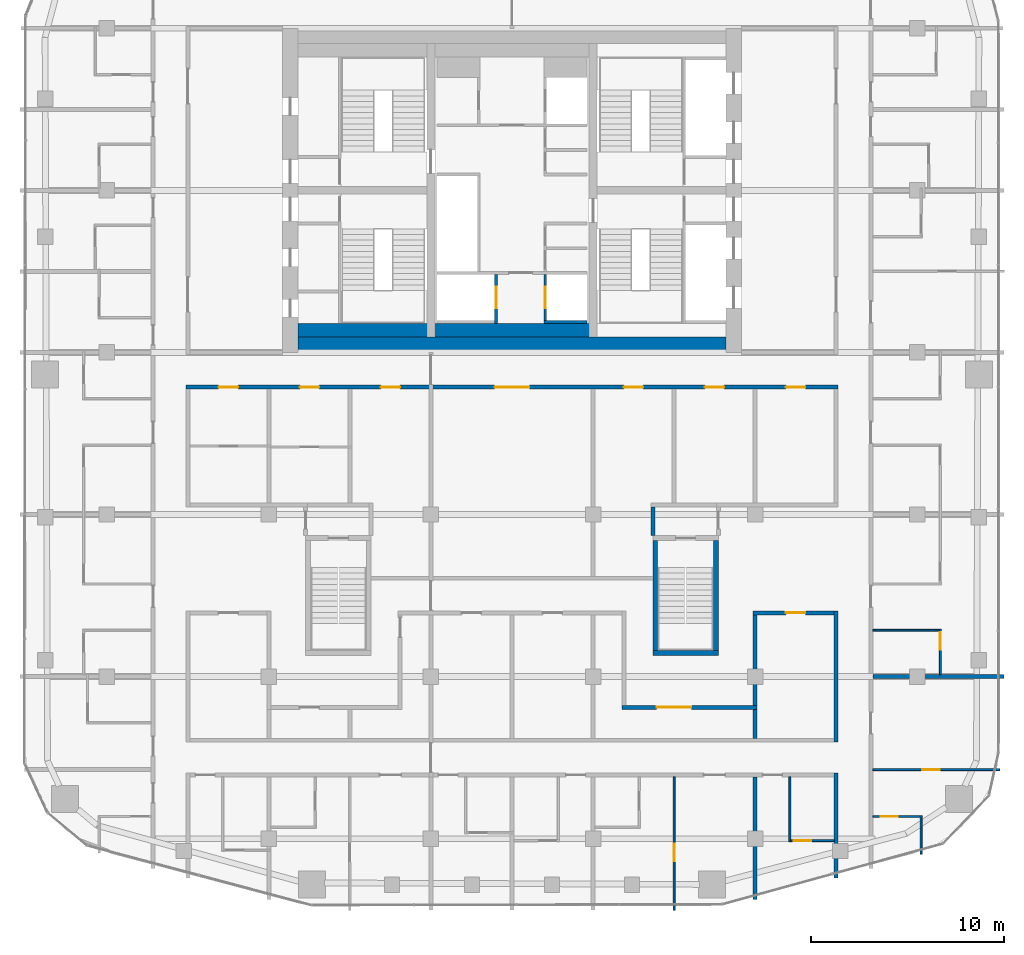
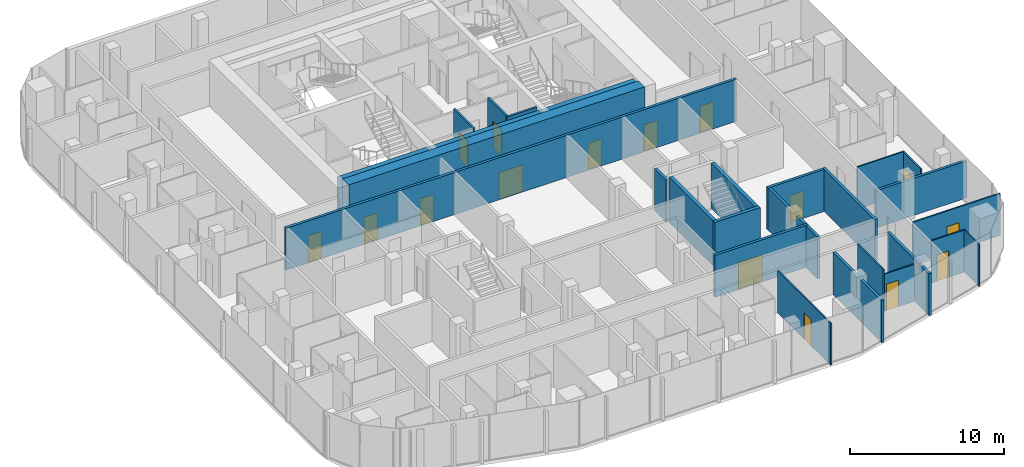
# One storey, part 16 of 22: 26 walls, 16 doors, 16 openings.
"""IFC4 building model written with IfcOpenShell, lengths in metres."""

from ifc_helpers import new_model, si_unit, direction, frame, frame_2d, origin, place, context, subcontext, project, spatial, rectangle, extrude, material, layer, layer_set, type_object, element, fill, save


model = new_model("IFC4")

# Units and contexts
model_context = context("Model", 3, precision=1e-05, world=origin(), true_north=direction((0.0, 1.0)))
body_context = subcontext(model_context, "Body", "Model", "MODEL_VIEW")
ifc_project = project(units=[si_unit("LENGTHUNIT", "METRE"), si_unit("AREAUNIT", "SQUARE_METRE"), si_unit("VOLUMEUNIT", "CUBIC_METRE"), si_unit("PLANEANGLEUNIT", "RADIAN"), si_unit("MASSUNIT", "GRAM", prefix="KILO")], contexts=[model_context])

# Site, building, storey
site_placement = place(None, origin())
site = spatial("IfcSite", under=ifc_project, at=site_placement, CompositionType="ELEMENT")
building_placement = place(site_placement, origin())
building = spatial("IfcBuilding", under=site, at=building_placement, Name="Marenta Gate Hotel Tower", CompositionType="ELEMENT")
storey_placement = place(building_placement, frame((0.0, 0.0, 238.10009765625)))
storey = spatial("IfcBuildingStorey", under=building, at=storey_placement, Name="L56", CompositionType="ELEMENT", Elevation=238.10009765625)

# Wall
ifc_material_1 = material(Name="Concrete C40", Category="concrete")
ifc_layer_1 = layer(ifc_material_1, 0.699951171875)
ifc_layer_set_1 = layer_set([ifc_layer_1], Name="Concrete C40")
wall_type_1 = type_object("IfcWallType", Name="Core lining wall 700 REI 180", PredefinedType="PARTITIONING", material=ifc_layer_set_1)
wall_1_placement = place(storey_placement, frame((-11.10009765625, 1.14990234375, 0.0), z_axis=(0.0, 0.0, 1.0), x_axis=(1.0, 0.0, 0.0)))
element("IfcWall", 1, at=wall_1_placement, inside=storey, type_object=wall_type_1, Name="L56-CP-LN-S", PredefinedType="PARTITIONING", context=body_context, shape_type="SweptSolid", body=[
    extrude(rectangle(XDim=22.2001953125, YDim=0.699951171875, at=frame_2d((11.10009765625, 0.0))), origin(), (0.0, 0.0, 1.0), 3.33984375),
])

# Wall, opening, door
ifc_material_2 = material(Name="Concrete C40", Category="concrete")
ifc_layer_2 = layer(ifc_material_2, 0.14990234375)
ifc_layer_set_2 = layer_set([ifc_layer_2], Name="Concrete C40")
wall_type_2 = type_object("IfcWallType", Name="Core shaft wall 150 REI 180", PredefinedType="SHEAR", material=ifc_layer_set_2)
wall_2_placement = place(storey_placement, frame((-0.824951171875, 1.5, 0.0), z_axis=(0.0, 0.0, 1.0), x_axis=(0.0, 1.0, 0.0)))
wall_2 = element("IfcWall", 2, at=wall_2_placement, inside=storey, type_object=wall_type_2, Name="L56-SHF-CW-W-ff", PredefinedType="SHEAR", context=body_context, shape_type="SweptSolid", body=[
    extrude(rectangle(XDim=2.550048828125, YDim=0.14990234375, at=frame_2d((1.27490234375, 0.0))), origin(), (0.0, 0.0, 1.0), 3.599853515625),
])
opening_1_placement = place(wall_2_placement, frame((0.800048828125, 0.0, 0.0)))
opening_1 = element("IfcOpeningElement", 3, at=opening_1_placement, cuts=wall_2, Name="Opening LD-FF1", PredefinedType="OPENING", context=body_context, shape_type="SweptSolid", body=[
    extrude(rectangle(XDim=1.10009765625, YDim=2.10009765625, at=frame_2d((0.550048828125, 1.050048828125))), frame((0.0, 0.074951171875, 0.0), z_axis=(0.0, -1.0, 0.0), x_axis=(1.0, 0.0, 0.0)), (0.0, 0.0, 1.0), 0.14990234375),
])
ifc_material_3 = material(Name="Steel", Category="steel")
door_type_1 = type_object("IfcDoorType", Name="Core lift landing door 1100x2100 E 60", OperationType="SLIDING_TO_LEFT", PredefinedType="DOOR", material=ifc_material_3)
door_1_placement = place(opening_1_placement, origin())
door_1 = element("IfcDoor", 4, at=door_1_placement, inside=storey, type_object=door_type_1, Name="LD-FF1", OperationType="SLIDING_TO_LEFT", OverallHeight=2.10009765625, OverallWidth=1.10009765625, PredefinedType="DOOR", context=body_context, shape_type="SweptSolid", body=[
    extrude(rectangle(XDim=1.10009765625, YDim=2.10009765625, at=frame_2d((0.550048828125, 1.050048828125))), frame((0.0, 0.02490234375, 0.0), z_axis=(0.0, -1.0, 0.0), x_axis=(1.0, 0.0, 0.0)), (0.0, 0.0, 1.0), 0.050048828125),
])
fill(opening_1, door_1)

wall_3_placement = place(storey_placement, frame((1.72509765625, 1.64990234375, 0.0), z_axis=(0.0, 0.0, 1.0), x_axis=(0.0, 1.0, 0.0)))
wall_3 = element("IfcWall", 5, at=wall_3_placement, inside=storey, type_object=wall_type_2, Name="L56-SHF-CE-S-ls", PredefinedType="SHEAR", context=body_context, shape_type="SweptSolid", body=[
    extrude(rectangle(XDim=2.400146484375, YDim=0.14990234375, at=frame_2d((1.2001953125, 0.0))), origin(), (0.0, 0.0, 1.0), 3.599853515625),
])
opening_2_placement = place(wall_3_placement, frame((0.64990234375, 0.0, 0.0)))
opening_2 = element("IfcOpeningElement", 6, at=opening_2_placement, cuts=wall_3, Name="Opening LD-SV1", PredefinedType="OPENING", context=body_context, shape_type="SweptSolid", body=[
    extrude(rectangle(XDim=1.10009765625, YDim=2.10009765625, at=frame_2d((0.550048828125, 1.050048828125))), frame((0.0, 0.074951171875, 0.0), z_axis=(0.0, -1.0, 0.0), x_axis=(1.0, 0.0, 0.0)), (0.0, 0.0, 1.0), 0.14990234375),
])
door_2_placement = place(opening_2_placement, origin())
door_2 = element("IfcDoor", 7, at=door_2_placement, inside=storey, type_object=door_type_1, Name="LD-SV1", OperationType="SLIDING_TO_LEFT", OverallHeight=2.10009765625, OverallWidth=1.10009765625, PredefinedType="DOOR", context=body_context, shape_type="SweptSolid", body=[
    extrude(rectangle(XDim=1.10009765625, YDim=2.10009765625, at=frame_2d((0.550048828125, 1.050048828125))), frame((0.0, 0.02490234375, 0.0), z_axis=(0.0, -1.0, 0.0), x_axis=(1.0, 0.0, 0.0)), (0.0, 0.0, 1.0), 0.050048828125),
])
fill(opening_2, door_2)

# Walls
wall_4_placement = place(storey_placement, frame((1.64990234375, 1.574951171875, 0.0), z_axis=(0.0, 0.0, 1.0), x_axis=(1.0, 0.0, 0.0)))
element("IfcWall", 8, at=wall_4_placement, inside=storey, type_object=wall_type_2, Name="L56-SHF-CE-S-bot", PredefinedType="SHEAR", context=body_context, shape_type="SweptSolid", body=[
    extrude(rectangle(XDim=2.25, YDim=0.14990234375, at=frame_2d((1.125, 0.0))), origin(), (0.0, 0.0, 1.0), 3.599853515625),
])
ifc_material_4 = material(Name="Concrete C60", Category="concrete")
ifc_layer_3 = layer(ifc_material_4, 0.800048828125)
ifc_layer_set_3 = layer_set([ifc_layer_3], Name="Concrete C60")
wall_type_3 = type_object("IfcWallType", Name="Core wall 800 C60", PredefinedType="SHEAR", material=ifc_layer_set_3)
wall_5_placement = place(storey_placement, frame((-11.10009765625, 0.39990234375, 0.0), z_axis=(0.0, 0.0, 1.0), x_axis=(1.0, 0.0, 0.0)))
element("IfcWall", 9, at=wall_5_placement, inside=storey, type_object=wall_type_3, Name="L56-CORE-S", PredefinedType="SHEAR", context=body_context, shape_type="SweptSolid", body=[
    extrude(rectangle(XDim=22.2001953125, YDim=0.800048828125, at=frame_2d((11.10009765625, 0.0))), origin(), (0.0, 0.0, 1.0), 3.599853515625),
])
ifc_material_5 = material(Name="Concrete C40", Category="concrete")
ifc_layer_4 = layer(ifc_material_5, 0.25)
ifc_layer_set_4 = layer_set([ifc_layer_4], Name="Concrete C40")
wall_type_4 = type_object("IfcWallType", Name="Remote stair enclosure wall 250 REI 180", PredefinedType="SHEAR", material=ifc_layer_set_4)
wall_6_placement = place(storey_placement, frame((7.300048828125, -15.574951171875, 0.099853515625), z_axis=(0.0, 0.0, 1.0), x_axis=(1.0, 0.0, 0.0)))
element("IfcWall", 10, at=wall_6_placement, inside=storey, type_object=wall_type_4, Name="L56-RS-Z3-2-W1", PredefinedType="SHEAR", context=body_context, shape_type="SweptSolid", body=[
    extrude(rectangle(XDim=3.39990234375, YDim=0.25, at=frame_2d((1.699951171875, 0.0))), origin(), (0.0, 0.0, 1.0), 3.60009765625),
])
for number, where, z_axis, x_axis, name in (
    (11, (7.425048828125, -15.449951171875, 0.099853515625), (0.0, 0.0, 1.0), (0.0, 1.0, 0.0), "L56-RS-Z3-2-W3"),
    (12, (10.574951171875, -15.449951171875, 0.099853515625), (0.0, 0.0, 1.0), (0.0, 1.0, 0.0), "L56-RS-Z3-2-W4"),
):
    element("IfcWall", number, at=place(storey_placement, frame(where, z_axis=z_axis, x_axis=x_axis)), inside=storey, type_object=wall_type_4, Name=name, PredefinedType="SHEAR", context=body_context, shape_type="SweptSolid", body=[
        extrude(rectangle(XDim=5.699951171875, YDim=0.25, at=frame_2d((2.85009765625, 0.0))), origin(), (0.0, 0.0, 1.0), 3.60009765625),
    ])

# Wall, openings, doors
ifc_material_6 = material(Name="Concrete blockwork", Category="masonry")
ifc_layer_5 = layer(ifc_material_6, 0.199951171875)
ifc_layer_set_5 = layer_set([ifc_layer_5], Name="Concrete blockwork")
wall_type_5 = type_object("IfcWallType", Name="Room corridor wall 200 EI 120", PredefinedType="PARTITIONING", material=ifc_layer_set_5)
wall_7_placement = place(storey_placement, frame((-16.89990234375, -1.800048828125, 0.0), z_axis=(0.0, 0.0, 1.0), x_axis=(1.0, 0.0, 0.0)))
wall_7 = element("IfcWall", 13, at=wall_7_placement, inside=storey, type_object=wall_type_5, Name="L56-PTN-W070", PredefinedType="PARTITIONING", context=body_context, shape_type="SweptSolid", body=[
    extrude(rectangle(XDim=33.7998046875, YDim=0.199951171875, at=frame_2d((16.89990234375, 0.0))), origin(), (0.0, 0.0, 1.0), 3.33984375),
])
opening_3_placement = place(wall_7_placement, frame((1.699951171875, 0.0, 0.0)))
opening_3 = element("IfcOpeningElement", 14, at=opening_3_placement, cuts=wall_7, Name="Opening G20-01", PredefinedType="OPENING", context=body_context, shape_type="SweptSolid", body=[
    extrude(rectangle(XDim=1.0, YDim=2.10009765625, at=frame_2d((0.5, 1.050048828125))), frame((0.0, 0.10009765625, 0.0), z_axis=(0.0, -1.0, 0.0), x_axis=(1.0, 0.0, 0.0)), (0.0, 0.0, 1.0), 0.199951171875),
])
opening_4_placement = place(wall_7_placement, frame((5.89990234375, 0.0, 0.0)))
opening_4 = element("IfcOpeningElement", 15, at=opening_4_placement, cuts=wall_7, Name="Opening G20-03", PredefinedType="OPENING", context=body_context, shape_type="SweptSolid", body=[
    extrude(rectangle(XDim=1.0, YDim=2.10009765625, at=frame_2d((0.5, 1.050048828125))), frame((0.0, 0.10009765625, 0.0), z_axis=(0.0, -1.0, 0.0), x_axis=(1.0, 0.0, 0.0)), (0.0, 0.0, 1.0), 0.199951171875),
])
opening_5_placement = place(wall_7_placement, frame((10.10009765625, 0.0, 0.0)))
opening_5 = element("IfcOpeningElement", 16, at=opening_5_placement, cuts=wall_7, Name="Opening G20-05", PredefinedType="OPENING", context=body_context, shape_type="SweptSolid", body=[
    extrude(rectangle(XDim=1.0, YDim=2.10009765625, at=frame_2d((0.5, 1.050048828125))), frame((0.0, 0.10009765625, 0.0), z_axis=(0.0, -1.0, 0.0), x_axis=(1.0, 0.0, 0.0)), (0.0, 0.0, 1.0), 0.199951171875),
])
opening_6_placement = place(wall_7_placement, frame((16.0, 0.0, 0.0)))
opening_6 = element("IfcOpeningElement", 17, at=opening_6_placement, cuts=wall_7, Name="Opening G20-06", PredefinedType="OPENING", context=body_context, shape_type="SweptSolid", body=[
    extrude(rectangle(XDim=1.800048828125, YDim=2.10009765625, at=frame_2d((0.89990234375, 1.050048828125))), frame((0.0, 0.10009765625, 0.0), z_axis=(0.0, -1.0, 0.0), x_axis=(1.0, 0.0, 0.0)), (0.0, 0.0, 1.0), 0.199951171875),
])
opening_7_placement = place(wall_7_placement, frame((22.699951171875, 0.0, 0.0)))
opening_7 = element("IfcOpeningElement", 18, at=opening_7_placement, cuts=wall_7, Name="Opening G20-07", PredefinedType="OPENING", context=body_context, shape_type="SweptSolid", body=[
    extrude(rectangle(XDim=1.0, YDim=2.10009765625, at=frame_2d((0.5, 1.050048828125))), frame((0.0, 0.10009765625, 0.0), z_axis=(0.0, -1.0, 0.0), x_axis=(1.0, 0.0, 0.0)), (0.0, 0.0, 1.0), 0.199951171875),
])
opening_8_placement = place(wall_7_placement, frame((26.89990234375, 0.0, 0.0)))
opening_8 = element("IfcOpeningElement", 19, at=opening_8_placement, cuts=wall_7, Name="Opening G20-08", PredefinedType="OPENING", context=body_context, shape_type="SweptSolid", body=[
    extrude(rectangle(XDim=1.0, YDim=2.10009765625, at=frame_2d((0.5, 1.050048828125))), frame((0.0, 0.10009765625, 0.0), z_axis=(0.0, -1.0, 0.0), x_axis=(1.0, 0.0, 0.0)), (0.0, 0.0, 1.0), 0.199951171875),
])
opening_9_placement = place(wall_7_placement, frame((31.10009765625, 0.0, 0.0)))
opening_9 = element("IfcOpeningElement", 20, at=opening_9_placement, cuts=wall_7, Name="Opening G20-09", PredefinedType="OPENING", context=body_context, shape_type="SweptSolid", body=[
    extrude(rectangle(XDim=1.0, YDim=2.10009765625, at=frame_2d((0.5, 1.050048828125))), frame((0.0, 0.10009765625, 0.0), z_axis=(0.0, -1.0, 0.0), x_axis=(1.0, 0.0, 0.0)), (0.0, 0.0, 1.0), 0.199951171875),
])
ifc_material_7 = material(Name="Timber door leaf", Category="wood")
door_type_2 = type_object("IfcDoorType", Name="Room amenity door 1000x2100 EI 60", OperationType="NOTDEFINED", PredefinedType="DOOR", material=ifc_material_7)
door_3_placement = place(opening_5_placement, origin())
door_3 = element("IfcDoor", 21, at=door_3_placement, inside=storey, type_object=door_type_2, Name="L56-PD-D005", OperationType="SINGLE_SWING_RIGHT", OverallHeight=2.10009765625, OverallWidth=1.0, PredefinedType="DOOR", context=body_context, shape_type="SweptSolid", body=[
    extrude(rectangle(XDim=1.0, YDim=2.10009765625, at=frame_2d((0.5, 1.050048828125))), frame((0.0, 0.02490234375, 0.0), z_axis=(0.0, -1.0, 0.0), x_axis=(1.0, 0.0, 0.0)), (0.0, 0.0, 1.0), 0.050048828125),
])
fill(opening_5, door_3)
door_4_placement = place(opening_7_placement, origin())
door_4 = element("IfcDoor", 22, at=door_4_placement, inside=storey, type_object=door_type_2, Name="L56-PD-D007", OperationType="SINGLE_SWING_RIGHT", OverallHeight=2.10009765625, OverallWidth=1.0, PredefinedType="DOOR", context=body_context, shape_type="SweptSolid", body=[
    extrude(rectangle(XDim=1.0, YDim=2.10009765625, at=frame_2d((0.5, 1.050048828125))), frame((0.0, 0.02490234375, 0.0), z_axis=(0.0, -1.0, 0.0), x_axis=(1.0, 0.0, 0.0)), (0.0, 0.0, 1.0), 0.050048828125),
])
fill(opening_7, door_4)
door_5_placement = place(opening_8_placement, origin())
door_5 = element("IfcDoor", 23, at=door_5_placement, inside=storey, type_object=door_type_2, Name="L56-PD-D008", OperationType="SINGLE_SWING_LEFT", OverallHeight=2.10009765625, OverallWidth=1.0, PredefinedType="DOOR", context=body_context, shape_type="SweptSolid", body=[
    extrude(rectangle(XDim=1.0, YDim=2.10009765625, at=frame_2d((0.5, 1.050048828125))), frame((0.0, 0.02490234375, 0.0), z_axis=(0.0, -1.0, 0.0), x_axis=(1.0, 0.0, 0.0)), (0.0, 0.0, 1.0), 0.050048828125),
])
fill(opening_8, door_5)
door_6_placement = place(opening_9_placement, origin())
door_6 = element("IfcDoor", 24, at=door_6_placement, inside=storey, type_object=door_type_2, Name="L56-PD-D009", OperationType="SINGLE_SWING_RIGHT", OverallHeight=2.10009765625, OverallWidth=1.0, PredefinedType="DOOR", context=body_context, shape_type="SweptSolid", body=[
    extrude(rectangle(XDim=1.0, YDim=2.10009765625, at=frame_2d((0.5, 1.050048828125))), frame((0.0, 0.02490234375, 0.0), z_axis=(0.0, -1.0, 0.0), x_axis=(1.0, 0.0, 0.0)), (0.0, 0.0, 1.0), 0.050048828125),
])
fill(opening_9, door_6)
ifc_material_8 = material(Name="Timber door leaf", Category="wood")
door_type_3 = type_object("IfcDoorType", Name="Room amenity door 1800x2100 EI 60", OperationType="DOUBLE_DOOR_SINGLE_SWING", PredefinedType="DOOR", material=ifc_material_8)
door_7_placement = place(opening_6_placement, origin())
door_7 = element("IfcDoor", 25, at=door_7_placement, inside=storey, type_object=door_type_3, Name="L56-PD-D006", OperationType="DOUBLE_DOOR_SINGLE_SWING", OverallHeight=2.10009765625, OverallWidth=1.800048828125, PredefinedType="DOOR", context=body_context, shape_type="SweptSolid", body=[
    extrude(rectangle(XDim=1.800048828125, YDim=2.10009765625, at=frame_2d((0.89990234375, 1.050048828125))), frame((0.0, 0.02490234375, 0.0), z_axis=(0.0, -1.0, 0.0), x_axis=(1.0, 0.0, 0.0)), (0.0, 0.0, 1.0), 0.050048828125),
])
fill(opening_6, door_7)
ifc_material_9 = material(Name="Hollow steel door set", Category="steel")
door_type_4 = type_object("IfcDoorType", Name="Room service door 1000x2100 EI 60", OperationType="NOTDEFINED", PredefinedType="DOOR", material=ifc_material_9)
door_8_placement = place(opening_3_placement, origin())
door_8 = element("IfcDoor", 26, at=door_8_placement, inside=storey, type_object=door_type_4, Name="L56-PD-D001", OperationType="SINGLE_SWING_LEFT", OverallHeight=2.10009765625, OverallWidth=1.0, PredefinedType="DOOR", context=body_context, shape_type="SweptSolid", body=[
    extrude(rectangle(XDim=1.0, YDim=2.10009765625, at=frame_2d((0.5, 1.050048828125))), frame((0.0, 0.02490234375, 0.0), z_axis=(0.0, -1.0, 0.0), x_axis=(1.0, 0.0, 0.0)), (0.0, 0.0, 1.0), 0.050048828125),
])
fill(opening_3, door_8)
door_9_placement = place(opening_4_placement, origin())
door_9 = element("IfcDoor", 27, at=door_9_placement, inside=storey, type_object=door_type_4, Name="L56-PD-D003", OperationType="SINGLE_SWING_LEFT", OverallHeight=2.10009765625, OverallWidth=1.0, PredefinedType="DOOR", context=body_context, shape_type="SweptSolid", body=[
    extrude(rectangle(XDim=1.0, YDim=2.10009765625, at=frame_2d((0.5, 1.050048828125))), frame((0.0, 0.02490234375, 0.0), z_axis=(0.0, -1.0, 0.0), x_axis=(1.0, 0.0, 0.0)), (0.0, 0.0, 1.0), 0.050048828125),
])
fill(opening_4, door_9)

# Wall, opening, door
ifc_material_10 = material(Name="Gypsum board on steel stud", Category="steel")
ifc_layer_6 = layer(ifc_material_10, 0.199951171875)
ifc_layer_set_6 = layer_set([ifc_layer_6], Name="Gypsum board on steel stud")
wall_type_6 = type_object("IfcWallType", Name="Room corridor wall 200 EI 60", PredefinedType="PARTITIONING", material=ifc_layer_set_6)
wall_8_placement = place(storey_placement, frame((5.699951171875, -18.39990234375, 0.0), z_axis=(0.0, 0.0, 1.0), x_axis=(1.0, 0.0, 0.0)))
wall_8 = element("IfcWall", 28, at=wall_8_placement, inside=storey, type_object=wall_type_6, Name="L56-PTN-W025", PredefinedType="PARTITIONING", context=body_context, shape_type="SweptSolid", body=[
    extrude(rectangle(XDim=7.0, YDim=0.199951171875, at=frame_2d((3.5, 0.0))), origin(), (0.0, 0.0, 1.0), 3.33984375),
])
opening_10_placement = place(wall_8_placement, frame((1.800048828125, 0.0, 0.0)))
opening_10 = element("IfcOpeningElement", 29, at=opening_10_placement, cuts=wall_8, Name="Opening G20-15", PredefinedType="OPENING", context=body_context, shape_type="SweptSolid", body=[
    extrude(rectangle(XDim=1.800048828125, YDim=2.10009765625, at=frame_2d((0.89990234375, 1.050048828125))), frame((0.0, 0.10009765625, 0.0), z_axis=(0.0, -1.0, 0.0), x_axis=(1.0, 0.0, 0.0)), (0.0, 0.0, 1.0), 0.199951171875),
])
ifc_material_11 = material(Name="Timber door leaf", Category="wood")
door_type_5 = type_object("IfcDoorType", Name="Room amenity door 1800x2100 EI 30", OperationType="DOUBLE_DOOR_SINGLE_SWING", PredefinedType="DOOR", material=ifc_material_11)
door_10_placement = place(opening_10_placement, origin())
door_10 = element("IfcDoor", 30, at=door_10_placement, inside=storey, type_object=door_type_5, Name="L56-PD-D015", OperationType="DOUBLE_DOOR_SINGLE_SWING", OverallHeight=2.10009765625, OverallWidth=1.800048828125, PredefinedType="DOOR", context=body_context, shape_type="SweptSolid", body=[
    extrude(rectangle(XDim=1.800048828125, YDim=2.10009765625, at=frame_2d((0.89990234375, 1.050048828125))), frame((0.0, 0.02490234375, 0.0), z_axis=(0.0, -1.0, 0.0), x_axis=(1.0, 0.0, 0.0)), (0.0, 0.0, 1.0), 0.050048828125),
])
fill(opening_10, door_10)

# Walls
wall_9_placement = place(storey_placement, frame((16.800048828125, -27.22900390625, 0.0), z_axis=(0.0, 0.0, 1.0), x_axis=(0.0, 1.0, 0.0)))
element("IfcWall", 31, at=wall_9_placement, inside=storey, type_object=wall_type_6, Name="L56-PTN-W026", PredefinedType="PARTITIONING", context=body_context, shape_type="SweptSolid", body=[
    extrude(rectangle(XDim=5.428955078125, YDim=0.199951171875, at=frame_2d((2.71435546875, 0.0))), origin(), (0.0, 0.0, 1.0), 3.33984375),
])
wall_10_placement = place(storey_placement, frame((16.800048828125, -20.199951171875, 0.0), z_axis=(0.0, 0.0, 1.0), x_axis=(0.0, 1.0, 0.0)))
element("IfcWall", 32, at=wall_10_placement, inside=storey, type_object=wall_type_6, Name="L56-PTN-W027", PredefinedType="PARTITIONING", context=body_context, shape_type="SweptSolid", body=[
    extrude(rectangle(XDim=6.800048828125, YDim=0.199951171875, at=frame_2d((3.39990234375, 0.0))), origin(), (0.0, 0.0, 1.0), 3.33984375),
])

# Wall, opening, door
wall_11_placement = place(storey_placement, frame((12.5, -13.5, 0.0), z_axis=(0.0, 0.0, 1.0), x_axis=(1.0, 0.0, 0.0)))
wall_11 = element("IfcWall", 33, at=wall_11_placement, inside=storey, type_object=wall_type_6, Name="L56-PTN-W037", PredefinedType="PARTITIONING", context=body_context, shape_type="SweptSolid", body=[
    extrude(rectangle(XDim=4.199951171875, YDim=0.199951171875, at=frame_2d((2.10009765625, 0.0))), origin(), (0.0, 0.0, 1.0), 3.33984375),
])
opening_11_placement = place(wall_11_placement, frame((1.699951171875, 0.0, 0.0)))
opening_11 = element("IfcOpeningElement", 34, at=opening_11_placement, cuts=wall_11, Name="Opening G20-16", PredefinedType="OPENING", context=body_context, shape_type="SweptSolid", body=[
    extrude(rectangle(XDim=1.0, YDim=2.10009765625, at=frame_2d((0.5, 1.050048828125))), frame((0.0, 0.10009765625, 0.0), z_axis=(0.0, -1.0, 0.0), x_axis=(1.0, 0.0, 0.0)), (0.0, 0.0, 1.0), 0.199951171875),
])
ifc_material_12 = material(Name="Timber door leaf", Category="wood")
door_type_6 = type_object("IfcDoorType", Name="Room amenity door 1000x2100 EI 30", OperationType="NOTDEFINED", PredefinedType="DOOR", material=ifc_material_12)
door_11_placement = place(opening_11_placement, origin())
door_11 = element("IfcDoor", 35, at=door_11_placement, inside=storey, type_object=door_type_6, Name="L56-PD-D016", OperationType="SINGLE_SWING_RIGHT", OverallHeight=2.10009765625, OverallWidth=1.0, PredefinedType="DOOR", context=body_context, shape_type="SweptSolid", body=[
    extrude(rectangle(XDim=1.0, YDim=2.10009765625, at=frame_2d((0.5, 1.050048828125))), frame((0.0, 0.02490234375, 0.0), z_axis=(0.0, -1.0, 0.0), x_axis=(1.0, 0.0, 0.0)), (0.0, 0.0, 1.0), 0.050048828125),
])
fill(opening_11, door_11)

# Wall
wall_12_placement = place(storey_placement, frame((12.60009765625, -18.300048828125, 0.0), z_axis=(0.0, 0.0, 1.0), x_axis=(0.0, 1.0, 0.0)))
element("IfcWall", 36, at=wall_12_placement, inside=storey, type_object=wall_type_6, Name="L56-PTN-W042", PredefinedType="PARTITIONING", context=body_context, shape_type="SweptSolid", body=[
    extrude(rectangle(XDim=4.699951171875, YDim=0.199951171875, at=frame_2d((2.35009765625, 0.0))), origin(), (0.0, 0.0, 1.0), 3.33984375),
])

# Wall, opening, door
ifc_material_13 = material(Name="Gypsum board on steel stud", Category="steel")
ifc_layer_7 = layer(ifc_material_13, 0.10009765625)
ifc_layer_set_7 = layer_set([ifc_layer_7], Name="Gypsum board on steel stud")
wall_type_7 = type_object("IfcWallType", Name="Room partition 100", PredefinedType="PARTITIONING", material=ifc_layer_set_7)
wall_13_placement = place(storey_placement, frame((14.449951171875, -25.300048828125, 0.0), z_axis=(0.0, 0.0, 1.0), x_axis=(1.0, 0.0, 0.0)))
wall_13 = element("IfcWall", 37, at=wall_13_placement, inside=storey, type_object=wall_type_7, Name="L56-PTN-W004", PredefinedType="PARTITIONING", context=body_context, shape_type="SweptSolid", body=[
    extrude(rectangle(XDim=2.25, YDim=0.10009765625, at=frame_2d((1.125, 0.0))), origin(), (0.0, 0.0, 1.0), 2.93994140625),
])
opening_12_placement = place(wall_13_placement, frame((0.14990234375, 0.0, 0.0)))
opening_12 = element("IfcOpeningElement", 38, at=opening_12_placement, cuts=wall_13, Name="Opening G20-51", PredefinedType="OPENING", context=body_context, shape_type="SweptSolid", body=[
    extrude(rectangle(XDim=0.89990234375, YDim=2.10009765625, at=frame_2d((0.449951171875, 1.050048828125))), frame((0.0, 0.050048828125, 0.0), z_axis=(0.0, -1.0, 0.0), x_axis=(1.0, 0.0, 0.0)), (0.0, 0.0, 1.0), 0.10009765625),
])
ifc_material_14 = material(Name="Timber door leaf", Category="wood")
door_type_7 = type_object("IfcDoorType", Name="Guest bathroom door 900x2100", OperationType="NOTDEFINED", PredefinedType="DOOR", material=ifc_material_14)
door_12_placement = place(opening_12_placement, origin())
door_12 = element("IfcDoor", 39, at=door_12_placement, inside=storey, type_object=door_type_7, Name="L56-PD-D051", OperationType="SINGLE_SWING_LEFT", OverallHeight=2.10009765625, OverallWidth=0.89990234375, PredefinedType="DOOR", context=body_context, shape_type="SweptSolid", body=[
    extrude(rectangle(XDim=0.89990234375, YDim=2.10009765625, at=frame_2d((0.449951171875, 1.050048828125))), frame((0.0, 0.02490234375, 0.0), z_axis=(0.0, -1.0, 0.0), x_axis=(1.0, 0.0, 0.0)), (0.0, 0.0, 1.0), 0.050048828125),
])
fill(opening_12, door_12)

wall_14_placement = place(storey_placement, frame((18.699951171875, -24.051025390625, 0.0), z_axis=(0.0, 0.0, 1.0), x_axis=(1.0, 0.0, 0.0)))
wall_14 = element("IfcWall", 40, at=wall_14_placement, inside=storey, type_object=wall_type_7, Name="L56-PTN-W009", PredefinedType="PARTITIONING", context=body_context, shape_type="SweptSolid", body=[
    extrude(rectangle(XDim=2.449951171875, YDim=0.10009765625, at=frame_2d((1.22509765625, 0.0))), origin(), (0.0, 0.0, 1.0), 3.33984375),
])
opening_13_placement = place(wall_14_placement, frame((0.39990234375, 0.0, 0.0)))
opening_13 = element("IfcOpeningElement", 41, at=opening_13_placement, cuts=wall_14, Name="Opening G20-19", PredefinedType="OPENING", context=body_context, shape_type="SweptSolid", body=[
    extrude(rectangle(XDim=0.89990234375, YDim=2.10009765625, at=frame_2d((0.449951171875, 1.050048828125))), frame((0.0, 0.050048828125, 0.0), z_axis=(0.0, -1.0, 0.0), x_axis=(1.0, 0.0, 0.0)), (0.0, 0.0, 1.0), 0.10009765625),
])
door_13_placement = place(opening_13_placement, origin())
door_13 = element("IfcDoor", 42, at=door_13_placement, inside=storey, type_object=door_type_7, Name="L56-PD-D019", OperationType="SINGLE_SWING_RIGHT", OverallHeight=2.10009765625, OverallWidth=0.89990234375, PredefinedType="DOOR", context=body_context, shape_type="SweptSolid", body=[
    extrude(rectangle(XDim=0.89990234375, YDim=2.10009765625, at=frame_2d((0.449951171875, 1.050048828125))), frame((0.0, 0.02490234375, 0.0), z_axis=(0.0, -1.0, 0.0), x_axis=(1.0, 0.0, 0.0)), (0.0, 0.0, 1.0), 0.050048828125),
])
fill(opening_13, door_13)

wall_15_placement = place(storey_placement, frame((22.199951171875, -16.699951171875, 0.0), z_axis=(0.0, 0.0, 1.0), x_axis=(0.0, 1.0, 0.0)))
wall_15 = element("IfcWall", 43, at=wall_15_placement, inside=storey, type_object=wall_type_7, Name="L56-PTN-W010", PredefinedType="PARTITIONING", context=body_context, shape_type="SweptSolid", body=[
    extrude(rectangle(XDim=2.349853515625, YDim=0.10009765625, at=frame_2d((1.1748046875, 0.0))), origin(), (0.0, 0.0, 1.0), 3.33984375),
])
opening_14_placement = place(wall_15_placement, frame((1.300048828125, 0.0, 0.0)))
opening_14 = element("IfcOpeningElement", 44, at=opening_14_placement, cuts=wall_15, Name="Opening G20-22", PredefinedType="OPENING", context=body_context, shape_type="SweptSolid", body=[
    extrude(rectangle(XDim=0.89990234375, YDim=2.10009765625, at=frame_2d((0.449951171875, 1.050048828125))), frame((0.0, 0.050048828125, 0.0), z_axis=(0.0, -1.0, 0.0), x_axis=(1.0, 0.0, 0.0)), (0.0, 0.0, 1.0), 0.10009765625),
])
ifc_material_15 = material(Name="Timber door leaf", Category="wood")
door_type_8 = type_object("IfcDoorType", Name="Room inner door 900x2100", OperationType="NOTDEFINED", PredefinedType="DOOR", material=ifc_material_15)
door_14_placement = place(opening_14_placement, origin())
door_14 = element("IfcDoor", 45, at=door_14_placement, inside=storey, type_object=door_type_8, Name="L56-PD-D022", OperationType="SINGLE_SWING_RIGHT", OverallHeight=2.10009765625, OverallWidth=0.89990234375, PredefinedType="DOOR", context=body_context, shape_type="SweptSolid", body=[
    extrude(rectangle(XDim=0.89990234375, YDim=2.10009765625, at=frame_2d((0.449951171875, 1.050048828125))), frame((0.0, 0.02490234375, 0.0), z_axis=(0.0, -1.0, 0.0), x_axis=(1.0, 0.0, 0.0)), (0.0, 0.0, 1.0), 0.050048828125),
])
fill(opening_14, door_14)

wall_16_placement = place(storey_placement, frame((18.699951171875, -21.625, 0.0), z_axis=(0.0, 0.0, 1.0), x_axis=(1.0, 0.0, 0.0)))
wall_16 = element("IfcWall", 46, at=wall_16_placement, inside=storey, type_object=wall_type_7, Name="L56-PTN-W017", PredefinedType="PARTITIONING", context=body_context, shape_type="SweptSolid", body=[
    extrude(rectangle(XDim=6.575927734375, YDim=0.10009765625, at=frame_2d((3.2880859375, 0.0))), origin(), (0.0, 0.0, 1.0), 3.33984375),
])
opening_15_placement = place(wall_16_placement, frame((2.56005859375, 0.0, 0.0)))
opening_15 = element("IfcOpeningElement", 47, at=opening_15_placement, cuts=wall_16, Name="Opening G20-18", PredefinedType="OPENING", context=body_context, shape_type="SweptSolid", body=[
    extrude(rectangle(XDim=0.89990234375, YDim=2.10009765625, at=frame_2d((0.449951171875, 1.050048828125))), frame((0.0, 0.050048828125, 0.0), z_axis=(0.0, -1.0, 0.0), x_axis=(1.0, 0.0, 0.0)), (0.0, 0.0, 1.0), 0.10009765625),
])
door_15_placement = place(opening_15_placement, origin())
door_15 = element("IfcDoor", 48, at=door_15_placement, inside=storey, type_object=door_type_8, Name="L56-PD-D018", OperationType="SINGLE_SWING_LEFT", OverallHeight=2.10009765625, OverallWidth=0.89990234375, PredefinedType="DOOR", context=body_context, shape_type="SweptSolid", body=[
    extrude(rectangle(XDim=0.89990234375, YDim=2.10009765625, at=frame_2d((0.449951171875, 1.050048828125))), frame((0.0, 0.02490234375, 0.0), z_axis=(0.0, -1.0, 0.0), x_axis=(1.0, 0.0, 0.0)), (0.0, 0.0, 1.0), 0.050048828125),
])
fill(opening_15, door_15)

# Walls
wall_17_placement = place(storey_placement, frame((21.199951171875, -26.0048828125, 0.0), z_axis=(0.0, 0.0, 1.0), x_axis=(0.0, 1.0, 0.0)))
element("IfcWall", 49, at=wall_17_placement, inside=storey, type_object=wall_type_7, Name="L56-PTN-W019", PredefinedType="PARTITIONING", context=body_context, shape_type="SweptSolid", body=[
    extrude(rectangle(XDim=2.00390625, YDim=0.10009765625, at=frame_2d((1.001953125, 0.0))), origin(), (0.0, 0.0, 1.0), 3.33984375),
])
wall_18_placement = place(storey_placement, frame((14.39990234375, -25.35009765625, 0.0), z_axis=(0.0, 0.0, 1.0), x_axis=(0.0, 1.0, 0.0)))
element("IfcWall", 50, at=wall_18_placement, inside=storey, type_object=wall_type_7, Name="L56-PTN-W032", PredefinedType="PARTITIONING", context=body_context, shape_type="SweptSolid", body=[
    extrude(rectangle(XDim=3.35009765625, YDim=0.10009765625, at=frame_2d((1.675048828125, 0.0))), origin(), (0.0, 0.0, 1.0), 3.33984375),
])
wall_19_placement = place(storey_placement, frame((18.699951171875, -14.39990234375, 0.0), z_axis=(0.0, 0.0, 1.0), x_axis=(1.0, 0.0, 0.0)))
element("IfcWall", 51, at=wall_19_placement, inside=storey, type_object=wall_type_7, Name="L56-PTN-W034", PredefinedType="PARTITIONING", context=body_context, shape_type="SweptSolid", body=[
    extrude(rectangle(XDim=3.449951171875, YDim=0.10009765625, at=frame_2d((1.72509765625, 0.0))), origin(), (0.0, 0.0, 1.0), 3.33984375),
])

# Wall, opening, door
wall_20_placement = place(storey_placement, frame((8.39990234375, -28.89990234375, 0.0), z_axis=(0.0, 0.0, 1.0), x_axis=(0.0, 1.0, 0.0)))
wall_20 = element("IfcWall", 52, at=wall_20_placement, inside=storey, type_object=wall_type_7, Name="L56-PTN-W047", PredefinedType="PARTITIONING", context=body_context, shape_type="SweptSolid", body=[
    extrude(rectangle(XDim=6.89990234375, YDim=0.10009765625, at=frame_2d((3.449951171875, 0.0))), origin(), (0.0, 0.0, 1.0), 3.33984375),
])
opening_16_placement = place(wall_20_placement, frame((2.530029296875, 0.0, 0.0)))
opening_16 = element("IfcOpeningElement", 53, at=opening_16_placement, cuts=wall_20, Name="Opening G20-48", PredefinedType="OPENING", context=body_context, shape_type="SweptSolid", body=[
    extrude(rectangle(XDim=0.89990234375, YDim=2.10009765625, at=frame_2d((0.449951171875, 1.050048828125))), frame((0.0, 0.050048828125, 0.0), z_axis=(0.0, -1.0, 0.0), x_axis=(1.0, 0.0, 0.0)), (0.0, 0.0, 1.0), 0.10009765625),
])
door_16_placement = place(opening_16_placement, origin())
door_16 = element("IfcDoor", 54, at=door_16_placement, inside=storey, type_object=door_type_8, Name="L56-PD-D048", OperationType="SINGLE_SWING_LEFT", OverallHeight=2.10009765625, OverallWidth=0.89990234375, PredefinedType="DOOR", context=body_context, shape_type="SweptSolid", body=[
    extrude(rectangle(XDim=0.89990234375, YDim=2.10009765625, at=frame_2d((0.449951171875, 1.050048828125))), frame((0.0, 0.02490234375, 0.0), z_axis=(0.0, -1.0, 0.0), x_axis=(1.0, 0.0, 0.0)), (0.0, 0.0, 1.0), 0.050048828125),
])
fill(opening_16, door_16)

# Walls
ifc_material_16 = material(Name="Gypsum board on steel stud", Category="steel")
ifc_layer_8 = layer(ifc_material_16, 0.199951171875)
ifc_layer_set_8 = layer_set([ifc_layer_8], Name="Gypsum board on steel stud")
wall_type_8 = type_object("IfcWallType", Name="Room party wall 200 EI 60", PredefinedType="PARTITIONING", material=ifc_layer_set_8)
wall_21_placement = place(storey_placement, frame((18.699951171875, -16.800048828125, 0.0), z_axis=(0.0, 0.0, 1.0), x_axis=(1.0, 0.0, 0.0)))
element("IfcWall", 55, at=wall_21_placement, inside=storey, type_object=wall_type_8, Name="L56-PTN-W031", PredefinedType="PARTITIONING", context=body_context, shape_type="SweptSolid", body=[
    extrude(rectangle(XDim=6.800048828125, YDim=0.199951171875, at=frame_2d((3.39990234375, 0.0))), origin(), (0.0, 0.0, 1.0), 2.93994140625),
])
wall_22_placement = place(storey_placement, frame((12.60009765625, -28.343017578125, 0.0), z_axis=(0.0, 0.0, 1.0), x_axis=(0.0, 1.0, 0.0)))
element("IfcWall", 56, at=wall_22_placement, inside=storey, type_object=wall_type_8, Name="L56-PTN-W038", PredefinedType="PARTITIONING", context=body_context, shape_type="SweptSolid", body=[
    extrude(rectangle(XDim=6.343017578125, YDim=0.199951171875, at=frame_2d((3.17138671875, 0.0))), origin(), (0.0, 0.0, 1.0), 3.33984375),
])
wall_23_placement = place(storey_placement, frame((12.60009765625, -20.0, 0.0), z_axis=(0.0, 0.0, 1.0), x_axis=(0.0, 1.0, 0.0)))
element("IfcWall", 57, at=wall_23_placement, inside=storey, type_object=wall_type_8, Name="L56-PTN-W039", PredefinedType="PARTITIONING", context=body_context, shape_type="SweptSolid", body=[
    extrude(rectangle(XDim=1.5, YDim=0.199951171875, at=frame_2d((0.75, 0.0))), origin(), (0.0, 0.0, 1.0), 3.33984375),
])
ifc_material_17 = material(Name="Concrete blockwork", Category="masonry")
ifc_layer_9 = layer(ifc_material_17, 0.199951171875)
ifc_layer_set_9 = layer_set([ifc_layer_9], Name="Concrete blockwork")
wall_type_9 = type_object("IfcWallType", Name="Room party wall 200 REI 180", PredefinedType="PARTITIONING", material=ifc_layer_set_9)
wall_24_placement = place(storey_placement, frame((7.300048828125, -9.5, 0.0), z_axis=(0.0, 0.0, 1.0), x_axis=(0.0, 1.0, 0.0)))
element("IfcWall", 58, at=wall_24_placement, inside=storey, type_object=wall_type_9, Name="L56-PTN-W056", PredefinedType="PARTITIONING", context=body_context, shape_type="SweptSolid", body=[
    extrude(rectangle(XDim=1.5, YDim=0.199951171875, at=frame_2d((0.75, 0.0))), origin(), (0.0, 0.0, 1.0), 3.33984375),
])

save(model, "model.ifc")
